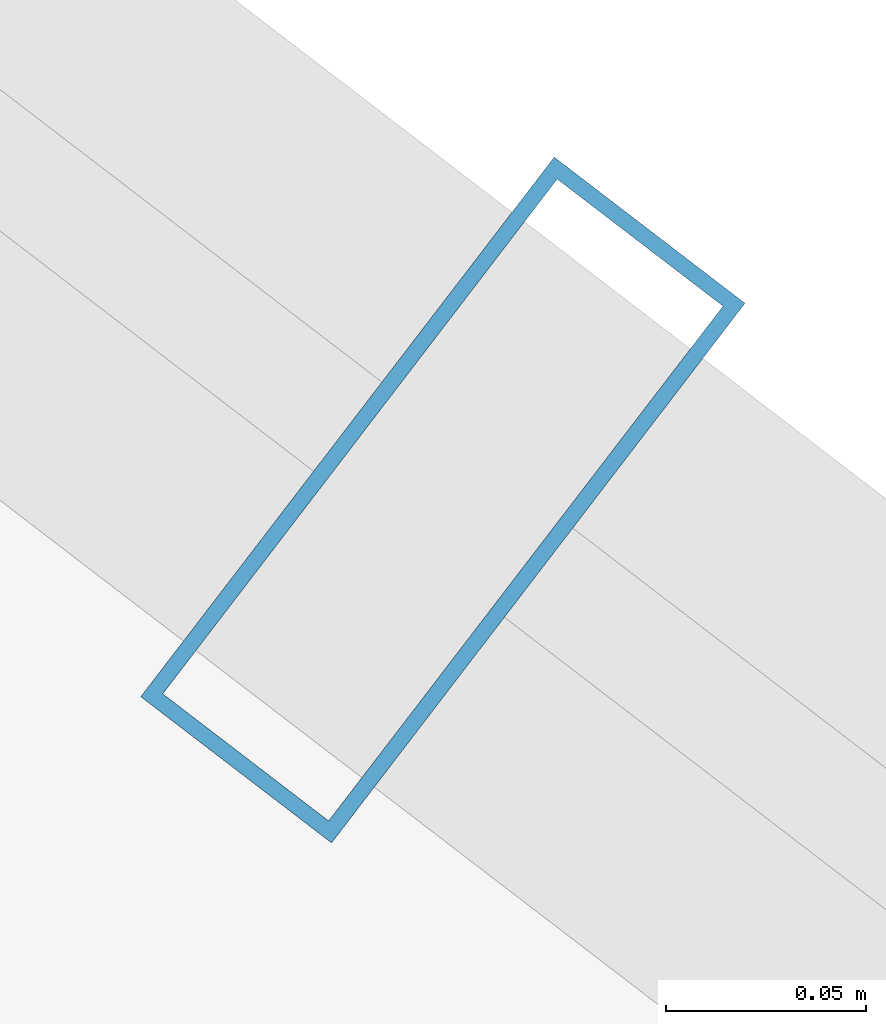
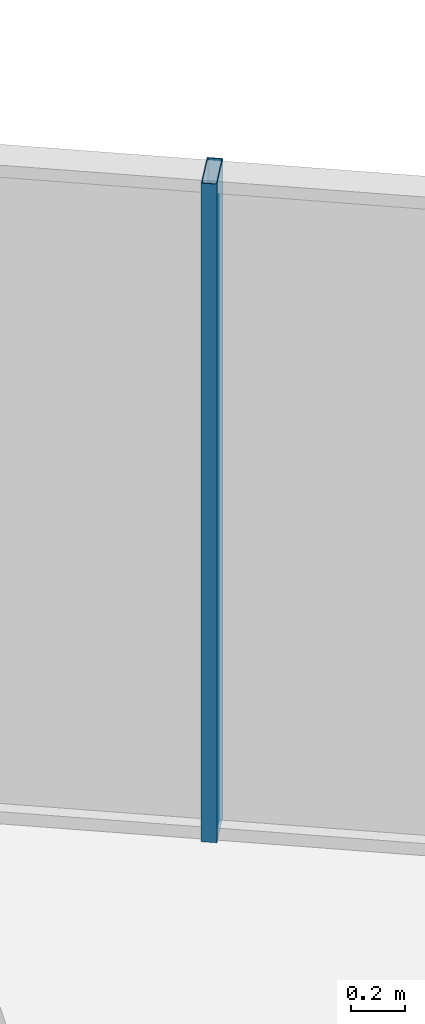
# One storey, part 20 of 30: 1 member, 1 element without a shape of its own.
"""IFC4 building model written with IfcOpenShell, lengths in metres."""

from ifc_helpers import new_model, si_unit, direction, frame, origin, origin_2d, place, context, subcontext, project, spatial, hollow_rectangle, extrude, source, transform, mapped, material, layer, layer_set, material_profile, profile_set, type_object, element, aggregate, save


model = new_model("IFC4")

# Units and contexts
model_context = context("Model", 3, precision=1e-05, world=origin(), true_north=direction((0.0, 1.0)))
body_context = subcontext(model_context, "Body", "Model", "MODEL_VIEW")
ifc_project = project(units=[si_unit("LENGTHUNIT", "METRE"), si_unit("AREAUNIT", "SQUARE_METRE"), si_unit("VOLUMEUNIT", "CUBIC_METRE"), si_unit("PLANEANGLEUNIT", "RADIAN"), si_unit("MASSUNIT", "GRAM", prefix="KILO")], contexts=[model_context])

# Site, building, storey
site_placement = place(None, origin())
site = spatial("IfcSite", under=ifc_project, at=site_placement, CompositionType="ELEMENT")
building_placement = place(site_placement, origin())
building = spatial("IfcBuilding", under=site, at=building_placement, Name="Veraguas Prism Commons", CompositionType="ELEMENT")
storey_placement = place(building_placement, frame((0.0, 0.0, 102.449951171875)))
storey = spatial("IfcBuildingStorey", under=building, at=storey_placement, Name="L28", CompositionType="ELEMENT", Elevation=102.449951171875)

# Curtain wall, member
ifc_material = material(Name="Anodised aluminium EN AW-6063 T6", Category="aluminium")
ifc_layer = layer(ifc_material, 0.169921875, Name="Unitised Flush Curtain Wall Zone 2", Category="aluminium")
ifc_layer_set = layer_set([ifc_layer], Name="Anodised aluminium EN AW-6063 T6")
curtain_wall_type = type_object("IfcCurtainWallType", Name="Unitised Flush Curtain Wall Zone 2", PredefinedType="NOTDEFINED", material=ifc_layer_set)
curtain_wall_placement = place(storey_placement, origin())
curtain_wall = element("IfcCurtainWall", 1, at=curtain_wall_placement, inside=storey, type_object=curtain_wall_type, Name="Tower Facade Curtain Wall L28-F1", PredefinedType="NOTDEFINED")
ifc_material_profile = material_profile(ifc_material, hollow_rectangle(XDim=0.06005859375, YDim=0.169921875, WallThickness=0.00390625, at=origin_2d()), Name="AL60X170X4")
ifc_profile_set = profile_set([ifc_material_profile], Name="Anodised aluminium EN AW-6063 T6")
member_type = type_object("IfcMemberType", Name="Curtain Wall Mullion Lower AL 60x170x4", PredefinedType="MULLION", material=ifc_profile_set)
shared_shape = source(origin(), body_context, "Body", "SweptSolid", [
    extrude(hollow_rectangle(XDim=0.06005859375, YDim=0.169921875, WallThickness=0.00390625, at=origin_2d()), origin(), (0.0, 0.0, 1.0), 3.0),
])
member_placement = place(storey_placement, frame((35.6669921875, 39.2265625, 0.0), z_axis=(0.0, 0.0, 1.0), x_axis=(-0.793778142573, 0.608207415585, 0.0)))
member = element("IfcMember", 2, at=member_placement, type_object=member_type, Name="CW-Z2 Mullion 3", PredefinedType="MULLION", context=body_context, shape_type="MappedRepresentation", body=[
    mapped(shared_shape, transform((0.0, 0.0, 0.0), scale=1.0)),
])
aggregate(curtain_wall, [member])

save(model, "model.ifc")
